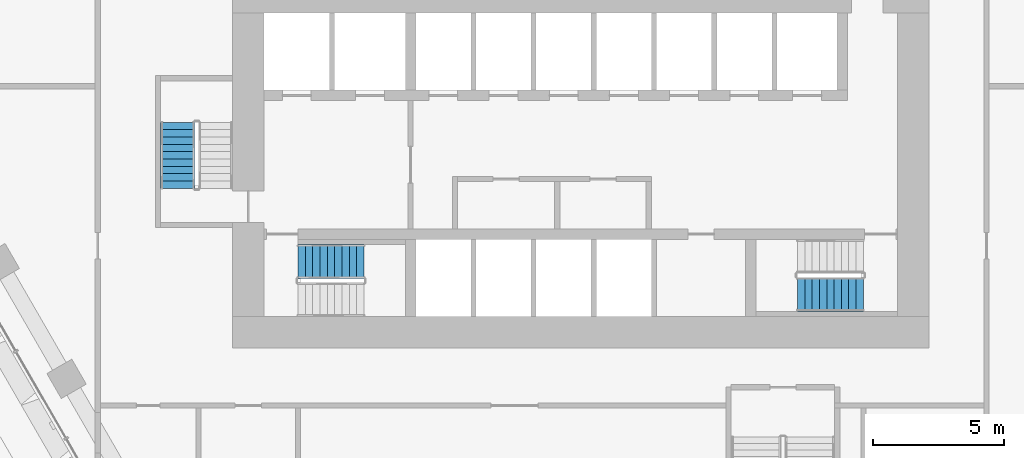
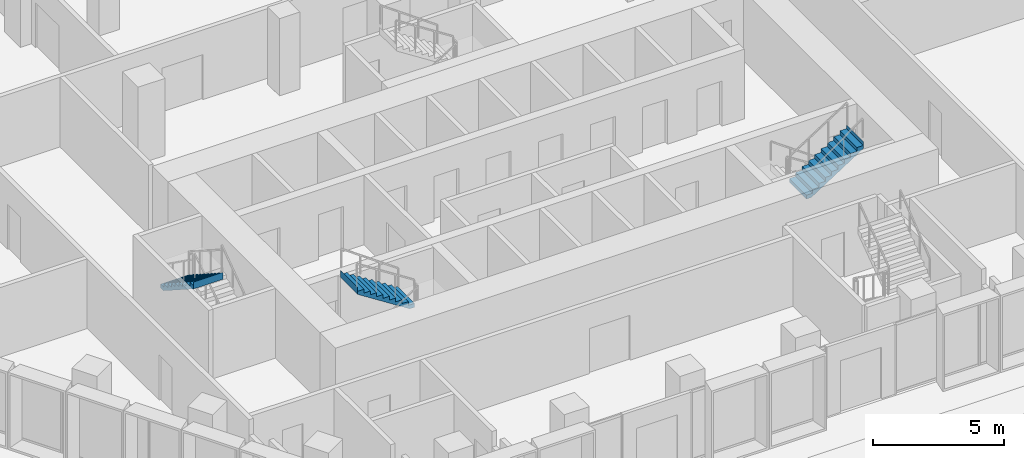
# One storey, part 30 of 38: 3 stair flights, 3 elements without a shape of their own.
"""IFC4 building model written with IfcOpenShell, lengths in metres."""

from ifc_helpers import new_model, si_unit, direction, frame, origin, place, context, subcontext, project, spatial, triangles, material, type_object, element, aggregate, save


model = new_model("IFC4")

# Units and contexts
model_context = context("Model", 3, precision=1e-05, world=origin(), true_north=direction((0.0, 1.0)))
body_context = subcontext(model_context, "Body", "Model", "MODEL_VIEW")
ifc_project = project(units=[si_unit("LENGTHUNIT", "METRE"), si_unit("AREAUNIT", "SQUARE_METRE"), si_unit("VOLUMEUNIT", "CUBIC_METRE"), si_unit("PLANEANGLEUNIT", "RADIAN"), si_unit("MASSUNIT", "GRAM", prefix="KILO")], contexts=[model_context])

# Site, building, storey
site_placement = place(None, origin())
site = spatial("IfcSite", under=ifc_project, at=site_placement, CompositionType="ELEMENT")
building_placement = place(site_placement, origin())
building = spatial("IfcBuilding", under=site, at=building_placement, Name="Beryl Residences", CompositionType="ELEMENT")
storey_placement = place(building_placement, frame((0.0, 0.0, 9.0)))
storey = spatial("IfcBuildingStorey", under=building, at=storey_placement, Name="L02", CompositionType="ELEMENT", Elevation=9.0)

# Stair, stair flight
ifc_material_1 = material(Name="Concrete C40/50", Category="concrete")
stair_type = type_object("IfcStairType", Name="ST1 protected exit stair, half-turn, 1300 mm flights", PredefinedType="HALF_TURN_STAIR", material=ifc_material_1)
stair_1_placement = place(storey_placement, origin())
stair_1 = element("IfcStair", 1, at=stair_1_placement, inside=storey, type_object=stair_type, Name="L02 PROTECTED EXIT STAIR ST-1", PredefinedType="HALF_TURN_STAIR")
ifc_material_2 = material(Name="Concrete C40/50", Category="concrete")
stair_flight_type = type_object("IfcStairFlightType", Name="SF1 stair flight 1300 mm", PredefinedType="STRAIGHT", material=ifc_material_2)
stair_flight_1_placement = place(storey_placement, frame((-8.280029296875, -15.699951171875, 1.800048828125), z_axis=(0.0, 0.0, 1.0), x_axis=(-1.0, 0.0, 0.0)))
stair_flight_1 = element("IfcStairFlight", 2, at=stair_flight_1_placement, type_object=stair_flight_type, Name="ST-1 flight 2", NumberOfRisers=10, NumberOfTreads=9, PredefinedType="STRAIGHT", RiserHeight=0.18, TreadLength=0.28, context=body_context, shape_type="Tessellation", body=[
    triangles([(0.0, -0.64990234375, 0.0), (0.0, -0.324951171875, 0.0), (0.0, 0.0, 0.0), (0.0, 0.324951171875, 0.0), (0.0, 0.64990234375, 0.0), (0.0, -0.64990234375, 0.179931640625), (0.0, -0.324951171875, 0.179931640625), (0.0, 0.0, 0.179931640625), (0.0, 0.324951171875, 0.179931640625), (0.0, 0.64990234375, 0.179931640625), (0.280029296875, -0.64990234375, 0.179931640625), (0.280029296875, -0.324951171875, 0.179931640625), (0.280029296875, 0.0, 0.179931640625), (0.280029296875, 0.324951171875, 0.179931640625), (0.280029296875, 0.64990234375, 0.179931640625), (0.280029296875, -0.64990234375, 0.360107421875), (0.280029296875, -0.324951171875, 0.360107421875), (0.280029296875, 0.0, 0.360107421875), (0.280029296875, 0.324951171875, 0.360107421875), (0.280029296875, 0.64990234375, 0.360107421875), (0.56005859375, -0.64990234375, 0.360107421875), (0.56005859375, -0.324951171875, 0.360107421875), (0.56005859375, 0.0, 0.360107421875), (0.56005859375, 0.324951171875, 0.360107421875), (0.56005859375, 0.64990234375, 0.360107421875), (0.56005859375, -0.64990234375, 0.5400390625), (0.56005859375, -0.324951171875, 0.5400390625), (0.56005859375, 0.0, 0.5400390625), (0.56005859375, 0.324951171875, 0.5400390625), (0.56005859375, 0.64990234375, 0.5400390625), (0.840087890625, -0.64990234375, 0.5400390625), (0.840087890625, -0.324951171875, 0.5400390625), (0.840087890625, 0.0, 0.5400390625), (0.840087890625, 0.324951171875, 0.5400390625), (0.840087890625, 0.64990234375, 0.5400390625), (0.840087890625, -0.64990234375, 0.719970703125), (0.840087890625, -0.324951171875, 0.719970703125), (0.840087890625, 0.0, 0.719970703125), (0.840087890625, 0.324951171875, 0.719970703125), (0.840087890625, 0.64990234375, 0.719970703125), (1.1201171875, -0.64990234375, 0.719970703125), (1.1201171875, -0.324951171875, 0.719970703125), (1.1201171875, 0.0, 0.719970703125), (1.1201171875, 0.324951171875, 0.719970703125), (1.1201171875, 0.64990234375, 0.719970703125), (1.1201171875, -0.64990234375, 0.89990234375), (1.1201171875, -0.324951171875, 0.89990234375), (1.1201171875, 0.0, 0.89990234375), (1.1201171875, 0.324951171875, 0.89990234375), (1.1201171875, 0.64990234375, 0.89990234375), (1.39990234375, -0.64990234375, 0.89990234375), (1.39990234375, -0.324951171875, 0.89990234375), (1.39990234375, 0.0, 0.89990234375), (1.39990234375, 0.324951171875, 0.89990234375), (1.39990234375, 0.64990234375, 0.89990234375), (1.39990234375, -0.64990234375, 1.080078125), (1.39990234375, -0.324951171875, 1.080078125), (1.39990234375, 0.0, 1.080078125), (1.39990234375, 0.324951171875, 1.080078125), (1.39990234375, 0.64990234375, 1.080078125), (1.679931640625, -0.64990234375, 1.080078125), (1.679931640625, -0.324951171875, 1.080078125), (1.679931640625, 0.0, 1.080078125), (1.679931640625, 0.324951171875, 1.080078125), (1.679931640625, 0.64990234375, 1.080078125), (1.679931640625, -0.64990234375, 1.260009765625), (1.679931640625, -0.324951171875, 1.260009765625), (1.679931640625, 0.0, 1.260009765625), (1.679931640625, 0.324951171875, 1.260009765625), (1.679931640625, 0.64990234375, 1.260009765625), (1.9599609375, -0.64990234375, 1.260009765625), (1.9599609375, -0.324951171875, 1.260009765625), (1.9599609375, 0.0, 1.260009765625), (1.9599609375, 0.324951171875, 1.260009765625), (1.9599609375, 0.64990234375, 1.260009765625), (1.9599609375, -0.64990234375, 1.43994140625), (1.9599609375, -0.324951171875, 1.43994140625), (1.9599609375, 0.0, 1.43994140625), (1.9599609375, 0.324951171875, 1.43994140625), (1.9599609375, 0.64990234375, 1.43994140625), (2.239990234375, -0.64990234375, 1.43994140625), (2.239990234375, -0.324951171875, 1.43994140625), (2.239990234375, 0.0, 1.43994140625), (2.239990234375, 0.324951171875, 1.43994140625), (2.239990234375, 0.64990234375, 1.43994140625), (2.239990234375, -0.64990234375, 1.6201171875), (2.239990234375, -0.324951171875, 1.6201171875), (2.239990234375, 0.0, 1.6201171875), (2.239990234375, 0.324951171875, 1.6201171875), (2.239990234375, 0.64990234375, 1.6201171875), (2.52001953125, -0.64990234375, 1.6201171875), (2.52001953125, -0.324951171875, 1.6201171875), (2.52001953125, 0.0, 1.6201171875), (2.52001953125, 0.324951171875, 1.6201171875), (2.52001953125, 0.64990234375, 1.6201171875), (2.52001953125, -0.64990234375, 1.800048828125), (2.52001953125, -0.324951171875, 1.800048828125), (2.52001953125, 0.0, 1.800048828125), (2.52001953125, 0.324951171875, 1.800048828125), (2.52001953125, 0.64990234375, 1.800048828125), (2.52099609375, -0.64990234375, 1.800048828125), (2.52099609375, -0.324951171875, 1.800048828125), (2.52099609375, 0.0, 1.800048828125), (2.52099609375, 0.324951171875, 1.800048828125), (2.52099609375, 0.64990234375, 1.800048828125), (2.52099609375, -0.64990234375, 1.477294921875), (2.52099609375, -0.324951171875, 1.477294921875), (2.52099609375, 0.0, 1.477294921875), (2.52099609375, 0.324951171875, 1.477294921875), (2.52099609375, 0.64990234375, 1.477294921875), (0.22314453125, -0.64990234375, 0.0), (0.22314453125, -0.324951171875, 0.0), (0.22314453125, 0.0, 0.0), (0.22314453125, 0.324951171875, 0.0), (0.22314453125, 0.64990234375, 0.0)], [[1, 6, 7], [1, 7, 2], [2, 7, 8], [2, 8, 3], [3, 8, 9], [3, 9, 4], [4, 9, 10], [4, 10, 5], [6, 11, 12], [6, 12, 7], [7, 12, 13], [7, 13, 8], [8, 13, 14], [8, 14, 9], [9, 14, 15], [9, 15, 10], [11, 16, 17], [11, 17, 12], [12, 17, 18], [12, 18, 13], [13, 18, 19], [13, 19, 14], [14, 19, 20], [14, 20, 15], [16, 21, 22], [16, 22, 17], [17, 22, 23], [17, 23, 18], [18, 23, 24], [18, 24, 19], [19, 24, 25], [19, 25, 20], [21, 26, 27], [21, 27, 22], [22, 27, 28], [22, 28, 23], [23, 28, 29], [23, 29, 24], [24, 29, 30], [24, 30, 25], [26, 31, 32], [26, 32, 27], [27, 32, 33], [27, 33, 28], [28, 33, 34], [28, 34, 29], [29, 34, 35], [29, 35, 30], [31, 36, 37], [31, 37, 32], [32, 37, 38], [32, 38, 33], [33, 38, 39], [33, 39, 34], [34, 39, 40], [34, 40, 35], [36, 41, 42], [36, 42, 37], [37, 42, 43], [37, 43, 38], [38, 43, 44], [38, 44, 39], [39, 44, 45], [39, 45, 40], [41, 46, 47], [41, 47, 42], [42, 47, 48], [42, 48, 43], [43, 48, 49], [43, 49, 44], [44, 49, 50], [44, 50, 45], [46, 51, 52], [46, 52, 47], [47, 52, 53], [47, 53, 48], [48, 53, 54], [48, 54, 49], [49, 54, 55], [49, 55, 50], [51, 56, 57], [51, 57, 52], [52, 57, 58], [52, 58, 53], [53, 58, 59], [53, 59, 54], [54, 59, 60], [54, 60, 55], [56, 61, 62], [56, 62, 57], [57, 62, 63], [57, 63, 58], [58, 63, 64], [58, 64, 59], [59, 64, 65], [59, 65, 60], [61, 66, 67], [61, 67, 62], [62, 67, 68], [62, 68, 63], [63, 68, 69], [63, 69, 64], [64, 69, 70], [64, 70, 65], [66, 71, 72], [66, 72, 67], [67, 72, 73], [67, 73, 68], [68, 73, 74], [68, 74, 69], [69, 74, 75], [69, 75, 70], [71, 76, 77], [71, 77, 72], [72, 77, 78], [72, 78, 73], [73, 78, 79], [73, 79, 74], [74, 79, 80], [74, 80, 75], [76, 81, 82], [76, 82, 77], [77, 82, 83], [77, 83, 78], [78, 83, 84], [78, 84, 79], [79, 84, 85], [79, 85, 80], [81, 86, 87], [81, 87, 82], [82, 87, 88], [82, 88, 83], [83, 88, 89], [83, 89, 84], [84, 89, 90], [84, 90, 85], [86, 91, 92], [86, 92, 87], [87, 92, 93], [87, 93, 88], [88, 93, 94], [88, 94, 89], [89, 94, 95], [89, 95, 90], [91, 96, 97], [91, 97, 92], [92, 97, 98], [92, 98, 93], [93, 98, 99], [93, 99, 94], [94, 99, 100], [94, 100, 95], [96, 101, 102], [96, 102, 97], [97, 102, 103], [97, 103, 98], [98, 103, 104], [98, 104, 99], [99, 104, 105], [99, 105, 100], [101, 106, 107], [101, 107, 102], [102, 107, 108], [102, 108, 103], [103, 108, 109], [103, 109, 104], [104, 109, 110], [104, 110, 105], [106, 111, 112], [106, 112, 107], [107, 112, 113], [107, 113, 108], [108, 113, 114], [108, 114, 109], [109, 114, 115], [109, 115, 110], [111, 1, 2], [111, 2, 112], [112, 2, 3], [112, 3, 113], [113, 3, 4], [113, 4, 114], [114, 4, 5], [114, 5, 115], [1, 111, 106], [5, 110, 115], [106, 101, 96], [110, 100, 105], [106, 96, 91], [110, 95, 100], [106, 91, 86], [110, 90, 95], [106, 86, 81], [110, 85, 90], [81, 76, 71], [85, 75, 80], [106, 81, 71], [110, 75, 85], [71, 66, 61], [75, 65, 70], [106, 71, 61], [110, 65, 75], [61, 56, 51], [65, 55, 60], [106, 61, 51], [110, 55, 65], [51, 46, 41], [55, 45, 50], [106, 51, 41], [110, 45, 55], [41, 36, 31], [45, 35, 40], [106, 41, 31], [110, 35, 45], [31, 26, 21], [35, 25, 30], [106, 31, 21], [110, 25, 35], [21, 16, 11], [25, 15, 20], [106, 21, 11], [110, 15, 25], [1, 106, 11], [5, 15, 110], [11, 6, 1], [15, 5, 10]], closed=True),
])
aggregate(stair_1, [stair_flight_1])

stair_2_placement = place(storey_placement, origin())
stair_2 = element("IfcStair", 3, at=stair_2_placement, inside=storey, type_object=stair_type, Name="L02 PROTECTED EXIT STAIR ST-2", PredefinedType="HALF_TURN_STAIR")
stair_flight_2_placement = place(storey_placement, frame((-15.39990234375, -10.3798828125, 1.800048828125), z_axis=(0.0, 0.0, 1.0), x_axis=(0.0, -1.0, 0.0)))
stair_flight_2 = element("IfcStairFlight", 4, at=stair_flight_2_placement, type_object=stair_flight_type, Name="ST-2 flight 2", NumberOfRisers=10, NumberOfTreads=9, PredefinedType="STRAIGHT", RiserHeight=0.18, TreadLength=0.28, context=body_context, shape_type="Tessellation", body=[
    triangles([(0.0, -0.64990234375, 0.0), (0.0, -0.324951171875, 0.0), (0.0, 0.0, 0.0), (0.0, 0.324951171875, 0.0), (0.0, 0.64990234375, 0.0), (0.0, -0.64990234375, 0.179931640625), (0.0, -0.324951171875, 0.179931640625), (0.0, 0.0, 0.179931640625), (0.0, 0.324951171875, 0.179931640625), (0.0, 0.64990234375, 0.179931640625), (0.280029296875, -0.64990234375, 0.179931640625), (0.280029296875, -0.324951171875, 0.179931640625), (0.280029296875, 0.0, 0.179931640625), (0.280029296875, 0.324951171875, 0.179931640625), (0.280029296875, 0.64990234375, 0.179931640625), (0.280029296875, -0.64990234375, 0.360107421875), (0.280029296875, -0.324951171875, 0.360107421875), (0.280029296875, 0.0, 0.360107421875), (0.280029296875, 0.324951171875, 0.360107421875), (0.280029296875, 0.64990234375, 0.360107421875), (0.56005859375, -0.64990234375, 0.360107421875), (0.56005859375, -0.324951171875, 0.360107421875), (0.56005859375, 0.0, 0.360107421875), (0.56005859375, 0.324951171875, 0.360107421875), (0.56005859375, 0.64990234375, 0.360107421875), (0.56005859375, -0.64990234375, 0.5400390625), (0.56005859375, -0.324951171875, 0.5400390625), (0.56005859375, 0.0, 0.5400390625), (0.56005859375, 0.324951171875, 0.5400390625), (0.56005859375, 0.64990234375, 0.5400390625), (0.840087890625, -0.64990234375, 0.5400390625), (0.840087890625, -0.324951171875, 0.5400390625), (0.840087890625, 0.0, 0.5400390625), (0.840087890625, 0.324951171875, 0.5400390625), (0.840087890625, 0.64990234375, 0.5400390625), (0.840087890625, -0.64990234375, 0.719970703125), (0.840087890625, -0.324951171875, 0.719970703125), (0.840087890625, 0.0, 0.719970703125), (0.840087890625, 0.324951171875, 0.719970703125), (0.840087890625, 0.64990234375, 0.719970703125), (1.1201171875, -0.64990234375, 0.719970703125), (1.1201171875, -0.324951171875, 0.719970703125), (1.1201171875, 0.0, 0.719970703125), (1.1201171875, 0.324951171875, 0.719970703125), (1.1201171875, 0.64990234375, 0.719970703125), (1.1201171875, -0.64990234375, 0.89990234375), (1.1201171875, -0.324951171875, 0.89990234375), (1.1201171875, 0.0, 0.89990234375), (1.1201171875, 0.324951171875, 0.89990234375), (1.1201171875, 0.64990234375, 0.89990234375), (1.39990234375, -0.64990234375, 0.89990234375), (1.39990234375, -0.324951171875, 0.89990234375), (1.39990234375, 0.0, 0.89990234375), (1.39990234375, 0.324951171875, 0.89990234375), (1.39990234375, 0.64990234375, 0.89990234375), (1.39990234375, -0.64990234375, 1.080078125), (1.39990234375, -0.324951171875, 1.080078125), (1.39990234375, 0.0, 1.080078125), (1.39990234375, 0.324951171875, 1.080078125), (1.39990234375, 0.64990234375, 1.080078125), (1.679931640625, -0.64990234375, 1.080078125), (1.679931640625, -0.324951171875, 1.080078125), (1.679931640625, 0.0, 1.080078125), (1.679931640625, 0.324951171875, 1.080078125), (1.679931640625, 0.64990234375, 1.080078125), (1.679931640625, -0.64990234375, 1.260009765625), (1.679931640625, -0.324951171875, 1.260009765625), (1.679931640625, 0.0, 1.260009765625), (1.679931640625, 0.324951171875, 1.260009765625), (1.679931640625, 0.64990234375, 1.260009765625), (1.9599609375, -0.64990234375, 1.260009765625), (1.9599609375, -0.324951171875, 1.260009765625), (1.9599609375, 0.0, 1.260009765625), (1.9599609375, 0.324951171875, 1.260009765625), (1.9599609375, 0.64990234375, 1.260009765625), (1.9599609375, -0.64990234375, 1.43994140625), (1.9599609375, -0.324951171875, 1.43994140625), (1.9599609375, 0.0, 1.43994140625), (1.9599609375, 0.324951171875, 1.43994140625), (1.9599609375, 0.64990234375, 1.43994140625), (2.239990234375, -0.64990234375, 1.43994140625), (2.239990234375, -0.324951171875, 1.43994140625), (2.239990234375, 0.0, 1.43994140625), (2.239990234375, 0.324951171875, 1.43994140625), (2.239990234375, 0.64990234375, 1.43994140625), (2.239990234375, -0.64990234375, 1.6201171875), (2.239990234375, -0.324951171875, 1.6201171875), (2.239990234375, 0.0, 1.6201171875), (2.239990234375, 0.324951171875, 1.6201171875), (2.239990234375, 0.64990234375, 1.6201171875), (2.52001953125, -0.64990234375, 1.6201171875), (2.52001953125, -0.324951171875, 1.6201171875), (2.52001953125, 0.0, 1.6201171875), (2.52001953125, 0.324951171875, 1.6201171875), (2.52001953125, 0.64990234375, 1.6201171875), (2.52001953125, -0.64990234375, 1.800048828125), (2.52001953125, -0.324951171875, 1.800048828125), (2.52001953125, 0.0, 1.800048828125), (2.52001953125, 0.324951171875, 1.800048828125), (2.52001953125, 0.64990234375, 1.800048828125), (2.52099609375, -0.64990234375, 1.800048828125), (2.52099609375, -0.324951171875, 1.800048828125), (2.52099609375, 0.0, 1.800048828125), (2.52099609375, 0.324951171875, 1.800048828125), (2.52099609375, 0.64990234375, 1.800048828125), (2.52099609375, -0.64990234375, 1.477294921875), (2.52099609375, -0.324951171875, 1.477294921875), (2.52099609375, 0.0, 1.477294921875), (2.52099609375, 0.324951171875, 1.477294921875), (2.52099609375, 0.64990234375, 1.477294921875), (0.22314453125, -0.64990234375, 0.0), (0.22314453125, -0.324951171875, 0.0), (0.22314453125, 0.0, 0.0), (0.22314453125, 0.324951171875, 0.0), (0.22314453125, 0.64990234375, 0.0)], [[1, 6, 7], [1, 7, 2], [2, 7, 8], [2, 8, 3], [3, 8, 9], [3, 9, 4], [4, 9, 10], [4, 10, 5], [6, 11, 12], [6, 12, 7], [7, 12, 13], [7, 13, 8], [8, 13, 14], [8, 14, 9], [9, 14, 15], [9, 15, 10], [11, 16, 17], [11, 17, 12], [12, 17, 18], [12, 18, 13], [13, 18, 19], [13, 19, 14], [14, 19, 20], [14, 20, 15], [16, 21, 22], [16, 22, 17], [17, 22, 23], [17, 23, 18], [18, 23, 24], [18, 24, 19], [19, 24, 25], [19, 25, 20], [21, 26, 27], [21, 27, 22], [22, 27, 28], [22, 28, 23], [23, 28, 29], [23, 29, 24], [24, 29, 30], [24, 30, 25], [26, 31, 32], [26, 32, 27], [27, 32, 33], [27, 33, 28], [28, 33, 34], [28, 34, 29], [29, 34, 35], [29, 35, 30], [31, 36, 37], [31, 37, 32], [32, 37, 38], [32, 38, 33], [33, 38, 39], [33, 39, 34], [34, 39, 40], [34, 40, 35], [36, 41, 42], [36, 42, 37], [37, 42, 43], [37, 43, 38], [38, 43, 44], [38, 44, 39], [39, 44, 45], [39, 45, 40], [41, 46, 47], [41, 47, 42], [42, 47, 48], [42, 48, 43], [43, 48, 49], [43, 49, 44], [44, 49, 50], [44, 50, 45], [46, 51, 52], [46, 52, 47], [47, 52, 53], [47, 53, 48], [48, 53, 54], [48, 54, 49], [49, 54, 55], [49, 55, 50], [51, 56, 57], [51, 57, 52], [52, 57, 58], [52, 58, 53], [53, 58, 59], [53, 59, 54], [54, 59, 60], [54, 60, 55], [56, 61, 62], [56, 62, 57], [57, 62, 63], [57, 63, 58], [58, 63, 64], [58, 64, 59], [59, 64, 65], [59, 65, 60], [61, 66, 67], [61, 67, 62], [62, 67, 68], [62, 68, 63], [63, 68, 69], [63, 69, 64], [64, 69, 70], [64, 70, 65], [66, 71, 72], [66, 72, 67], [67, 72, 73], [67, 73, 68], [68, 73, 74], [68, 74, 69], [69, 74, 75], [69, 75, 70], [71, 76, 77], [71, 77, 72], [72, 77, 78], [72, 78, 73], [73, 78, 79], [73, 79, 74], [74, 79, 80], [74, 80, 75], [76, 81, 82], [76, 82, 77], [77, 82, 83], [77, 83, 78], [78, 83, 84], [78, 84, 79], [79, 84, 85], [79, 85, 80], [81, 86, 87], [81, 87, 82], [82, 87, 88], [82, 88, 83], [83, 88, 89], [83, 89, 84], [84, 89, 90], [84, 90, 85], [86, 91, 92], [86, 92, 87], [87, 92, 93], [87, 93, 88], [88, 93, 94], [88, 94, 89], [89, 94, 95], [89, 95, 90], [91, 96, 97], [91, 97, 92], [92, 97, 98], [92, 98, 93], [93, 98, 99], [93, 99, 94], [94, 99, 100], [94, 100, 95], [96, 101, 102], [96, 102, 97], [97, 102, 103], [97, 103, 98], [98, 103, 104], [98, 104, 99], [99, 104, 105], [99, 105, 100], [101, 106, 107], [101, 107, 102], [102, 107, 108], [102, 108, 103], [103, 108, 109], [103, 109, 104], [104, 109, 110], [104, 110, 105], [106, 111, 112], [106, 112, 107], [107, 112, 113], [107, 113, 108], [108, 113, 114], [108, 114, 109], [109, 114, 115], [109, 115, 110], [111, 1, 2], [111, 2, 112], [112, 2, 3], [112, 3, 113], [113, 3, 4], [113, 4, 114], [114, 4, 5], [114, 5, 115], [1, 111, 106], [5, 110, 115], [106, 101, 96], [110, 100, 105], [106, 96, 91], [110, 95, 100], [106, 91, 86], [110, 90, 95], [106, 86, 81], [110, 85, 90], [81, 76, 71], [85, 75, 80], [106, 81, 71], [110, 75, 85], [71, 66, 61], [75, 65, 70], [106, 71, 61], [110, 65, 75], [61, 56, 51], [65, 55, 60], [106, 61, 51], [110, 55, 65], [51, 46, 41], [55, 45, 50], [106, 51, 41], [110, 45, 55], [41, 36, 31], [45, 35, 40], [106, 41, 31], [110, 35, 45], [31, 26, 21], [35, 25, 30], [106, 31, 21], [110, 25, 35], [21, 16, 11], [25, 15, 20], [106, 21, 11], [110, 15, 25], [1, 106, 11], [5, 15, 110], [11, 6, 1], [15, 5, 10]], closed=True),
])
aggregate(stair_2, [stair_flight_2])

stair_3_placement = place(storey_placement, origin())
stair_3 = element("IfcStair", 5, at=stair_3_placement, inside=storey, type_object=stair_type, Name="L02 PROTECTED EXIT STAIR ST-3", PredefinedType="HALF_TURN_STAIR")
stair_flight_3_placement = place(storey_placement, frame((8.280029296875, -16.949951171875, 1.800048828125), z_axis=(0.0, 0.0, 1.0), x_axis=(1.0, 0.0, 0.0)))
stair_flight_3 = element("IfcStairFlight", 6, at=stair_flight_3_placement, type_object=stair_flight_type, Name="ST-3 flight 2", NumberOfRisers=10, NumberOfTreads=9, PredefinedType="STRAIGHT", RiserHeight=0.18, TreadLength=0.28, context=body_context, shape_type="Tessellation", body=[
    triangles([(0.0, -0.64990234375, 0.0), (0.0, -0.324951171875, 0.0), (0.0, 0.0, 0.0), (0.0, 0.324951171875, 0.0), (0.0, 0.64990234375, 0.0), (0.0, -0.64990234375, 0.179931640625), (0.0, -0.324951171875, 0.179931640625), (0.0, 0.0, 0.179931640625), (0.0, 0.324951171875, 0.179931640625), (0.0, 0.64990234375, 0.179931640625), (0.280029296875, -0.64990234375, 0.179931640625), (0.280029296875, -0.324951171875, 0.179931640625), (0.280029296875, 0.0, 0.179931640625), (0.280029296875, 0.324951171875, 0.179931640625), (0.280029296875, 0.64990234375, 0.179931640625), (0.280029296875, -0.64990234375, 0.360107421875), (0.280029296875, -0.324951171875, 0.360107421875), (0.280029296875, 0.0, 0.360107421875), (0.280029296875, 0.324951171875, 0.360107421875), (0.280029296875, 0.64990234375, 0.360107421875), (0.56005859375, -0.64990234375, 0.360107421875), (0.56005859375, -0.324951171875, 0.360107421875), (0.56005859375, 0.0, 0.360107421875), (0.56005859375, 0.324951171875, 0.360107421875), (0.56005859375, 0.64990234375, 0.360107421875), (0.56005859375, -0.64990234375, 0.5400390625), (0.56005859375, -0.324951171875, 0.5400390625), (0.56005859375, 0.0, 0.5400390625), (0.56005859375, 0.324951171875, 0.5400390625), (0.56005859375, 0.64990234375, 0.5400390625), (0.840087890625, -0.64990234375, 0.5400390625), (0.840087890625, -0.324951171875, 0.5400390625), (0.840087890625, 0.0, 0.5400390625), (0.840087890625, 0.324951171875, 0.5400390625), (0.840087890625, 0.64990234375, 0.5400390625), (0.840087890625, -0.64990234375, 0.719970703125), (0.840087890625, -0.324951171875, 0.719970703125), (0.840087890625, 0.0, 0.719970703125), (0.840087890625, 0.324951171875, 0.719970703125), (0.840087890625, 0.64990234375, 0.719970703125), (1.1201171875, -0.64990234375, 0.719970703125), (1.1201171875, -0.324951171875, 0.719970703125), (1.1201171875, 0.0, 0.719970703125), (1.1201171875, 0.324951171875, 0.719970703125), (1.1201171875, 0.64990234375, 0.719970703125), (1.1201171875, -0.64990234375, 0.89990234375), (1.1201171875, -0.324951171875, 0.89990234375), (1.1201171875, 0.0, 0.89990234375), (1.1201171875, 0.324951171875, 0.89990234375), (1.1201171875, 0.64990234375, 0.89990234375), (1.39990234375, -0.64990234375, 0.89990234375), (1.39990234375, -0.324951171875, 0.89990234375), (1.39990234375, 0.0, 0.89990234375), (1.39990234375, 0.324951171875, 0.89990234375), (1.39990234375, 0.64990234375, 0.89990234375), (1.39990234375, -0.64990234375, 1.080078125), (1.39990234375, -0.324951171875, 1.080078125), (1.39990234375, 0.0, 1.080078125), (1.39990234375, 0.324951171875, 1.080078125), (1.39990234375, 0.64990234375, 1.080078125), (1.679931640625, -0.64990234375, 1.080078125), (1.679931640625, -0.324951171875, 1.080078125), (1.679931640625, 0.0, 1.080078125), (1.679931640625, 0.324951171875, 1.080078125), (1.679931640625, 0.64990234375, 1.080078125), (1.679931640625, -0.64990234375, 1.260009765625), (1.679931640625, -0.324951171875, 1.260009765625), (1.679931640625, 0.0, 1.260009765625), (1.679931640625, 0.324951171875, 1.260009765625), (1.679931640625, 0.64990234375, 1.260009765625), (1.9599609375, -0.64990234375, 1.260009765625), (1.9599609375, -0.324951171875, 1.260009765625), (1.9599609375, 0.0, 1.260009765625), (1.9599609375, 0.324951171875, 1.260009765625), (1.9599609375, 0.64990234375, 1.260009765625), (1.9599609375, -0.64990234375, 1.43994140625), (1.9599609375, -0.324951171875, 1.43994140625), (1.9599609375, 0.0, 1.43994140625), (1.9599609375, 0.324951171875, 1.43994140625), (1.9599609375, 0.64990234375, 1.43994140625), (2.239990234375, -0.64990234375, 1.43994140625), (2.239990234375, -0.324951171875, 1.43994140625), (2.239990234375, 0.0, 1.43994140625), (2.239990234375, 0.324951171875, 1.43994140625), (2.239990234375, 0.64990234375, 1.43994140625), (2.239990234375, -0.64990234375, 1.6201171875), (2.239990234375, -0.324951171875, 1.6201171875), (2.239990234375, 0.0, 1.6201171875), (2.239990234375, 0.324951171875, 1.6201171875), (2.239990234375, 0.64990234375, 1.6201171875), (2.52001953125, -0.64990234375, 1.6201171875), (2.52001953125, -0.324951171875, 1.6201171875), (2.52001953125, 0.0, 1.6201171875), (2.52001953125, 0.324951171875, 1.6201171875), (2.52001953125, 0.64990234375, 1.6201171875), (2.52001953125, -0.64990234375, 1.800048828125), (2.52001953125, -0.324951171875, 1.800048828125), (2.52001953125, 0.0, 1.800048828125), (2.52001953125, 0.324951171875, 1.800048828125), (2.52001953125, 0.64990234375, 1.800048828125), (2.52099609375, -0.64990234375, 1.800048828125), (2.52099609375, -0.324951171875, 1.800048828125), (2.52099609375, 0.0, 1.800048828125), (2.52099609375, 0.324951171875, 1.800048828125), (2.52099609375, 0.64990234375, 1.800048828125), (2.52099609375, -0.64990234375, 1.477294921875), (2.52099609375, -0.324951171875, 1.477294921875), (2.52099609375, 0.0, 1.477294921875), (2.52099609375, 0.324951171875, 1.477294921875), (2.52099609375, 0.64990234375, 1.477294921875), (0.22314453125, -0.64990234375, 0.0), (0.22314453125, -0.324951171875, 0.0), (0.22314453125, 0.0, 0.0), (0.22314453125, 0.324951171875, 0.0), (0.22314453125, 0.64990234375, 0.0)], [[1, 6, 7], [1, 7, 2], [2, 7, 8], [2, 8, 3], [3, 8, 9], [3, 9, 4], [4, 9, 10], [4, 10, 5], [6, 11, 12], [6, 12, 7], [7, 12, 13], [7, 13, 8], [8, 13, 14], [8, 14, 9], [9, 14, 15], [9, 15, 10], [11, 16, 17], [11, 17, 12], [12, 17, 18], [12, 18, 13], [13, 18, 19], [13, 19, 14], [14, 19, 20], [14, 20, 15], [16, 21, 22], [16, 22, 17], [17, 22, 23], [17, 23, 18], [18, 23, 24], [18, 24, 19], [19, 24, 25], [19, 25, 20], [21, 26, 27], [21, 27, 22], [22, 27, 28], [22, 28, 23], [23, 28, 29], [23, 29, 24], [24, 29, 30], [24, 30, 25], [26, 31, 32], [26, 32, 27], [27, 32, 33], [27, 33, 28], [28, 33, 34], [28, 34, 29], [29, 34, 35], [29, 35, 30], [31, 36, 37], [31, 37, 32], [32, 37, 38], [32, 38, 33], [33, 38, 39], [33, 39, 34], [34, 39, 40], [34, 40, 35], [36, 41, 42], [36, 42, 37], [37, 42, 43], [37, 43, 38], [38, 43, 44], [38, 44, 39], [39, 44, 45], [39, 45, 40], [41, 46, 47], [41, 47, 42], [42, 47, 48], [42, 48, 43], [43, 48, 49], [43, 49, 44], [44, 49, 50], [44, 50, 45], [46, 51, 52], [46, 52, 47], [47, 52, 53], [47, 53, 48], [48, 53, 54], [48, 54, 49], [49, 54, 55], [49, 55, 50], [51, 56, 57], [51, 57, 52], [52, 57, 58], [52, 58, 53], [53, 58, 59], [53, 59, 54], [54, 59, 60], [54, 60, 55], [56, 61, 62], [56, 62, 57], [57, 62, 63], [57, 63, 58], [58, 63, 64], [58, 64, 59], [59, 64, 65], [59, 65, 60], [61, 66, 67], [61, 67, 62], [62, 67, 68], [62, 68, 63], [63, 68, 69], [63, 69, 64], [64, 69, 70], [64, 70, 65], [66, 71, 72], [66, 72, 67], [67, 72, 73], [67, 73, 68], [68, 73, 74], [68, 74, 69], [69, 74, 75], [69, 75, 70], [71, 76, 77], [71, 77, 72], [72, 77, 78], [72, 78, 73], [73, 78, 79], [73, 79, 74], [74, 79, 80], [74, 80, 75], [76, 81, 82], [76, 82, 77], [77, 82, 83], [77, 83, 78], [78, 83, 84], [78, 84, 79], [79, 84, 85], [79, 85, 80], [81, 86, 87], [81, 87, 82], [82, 87, 88], [82, 88, 83], [83, 88, 89], [83, 89, 84], [84, 89, 90], [84, 90, 85], [86, 91, 92], [86, 92, 87], [87, 92, 93], [87, 93, 88], [88, 93, 94], [88, 94, 89], [89, 94, 95], [89, 95, 90], [91, 96, 97], [91, 97, 92], [92, 97, 98], [92, 98, 93], [93, 98, 99], [93, 99, 94], [94, 99, 100], [94, 100, 95], [96, 101, 102], [96, 102, 97], [97, 102, 103], [97, 103, 98], [98, 103, 104], [98, 104, 99], [99, 104, 105], [99, 105, 100], [101, 106, 107], [101, 107, 102], [102, 107, 108], [102, 108, 103], [103, 108, 109], [103, 109, 104], [104, 109, 110], [104, 110, 105], [106, 111, 112], [106, 112, 107], [107, 112, 113], [107, 113, 108], [108, 113, 114], [108, 114, 109], [109, 114, 115], [109, 115, 110], [111, 1, 2], [111, 2, 112], [112, 2, 3], [112, 3, 113], [113, 3, 4], [113, 4, 114], [114, 4, 5], [114, 5, 115], [1, 111, 106], [5, 110, 115], [106, 101, 96], [110, 100, 105], [106, 96, 91], [110, 95, 100], [106, 91, 86], [110, 90, 95], [106, 86, 81], [110, 85, 90], [81, 76, 71], [85, 75, 80], [106, 81, 71], [110, 75, 85], [71, 66, 61], [75, 65, 70], [106, 71, 61], [110, 65, 75], [61, 56, 51], [65, 55, 60], [106, 61, 51], [110, 55, 65], [51, 46, 41], [55, 45, 50], [106, 51, 41], [110, 45, 55], [41, 36, 31], [45, 35, 40], [106, 41, 31], [110, 35, 45], [31, 26, 21], [35, 25, 30], [106, 31, 21], [110, 25, 35], [21, 16, 11], [25, 15, 20], [106, 21, 11], [110, 15, 25], [1, 106, 11], [5, 15, 110], [11, 6, 1], [15, 5, 10]], closed=True),
])
aggregate(stair_3, [stair_flight_3])

save(model, "model.ifc")
